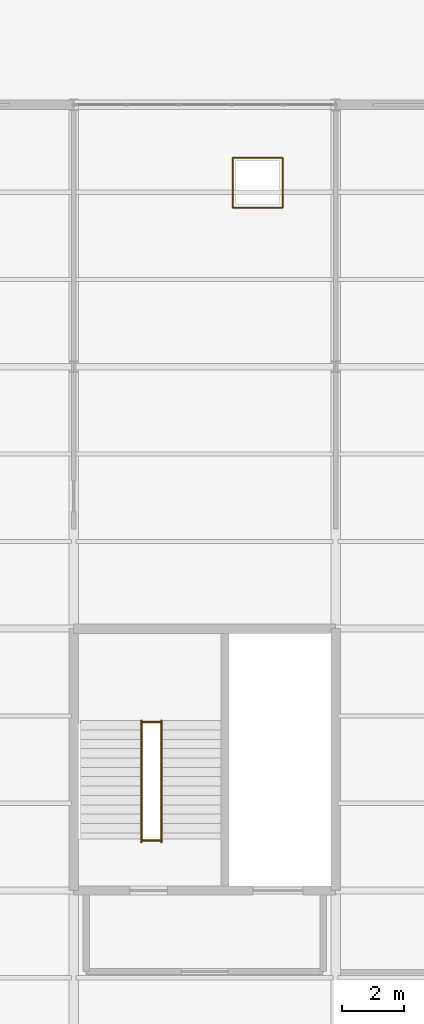
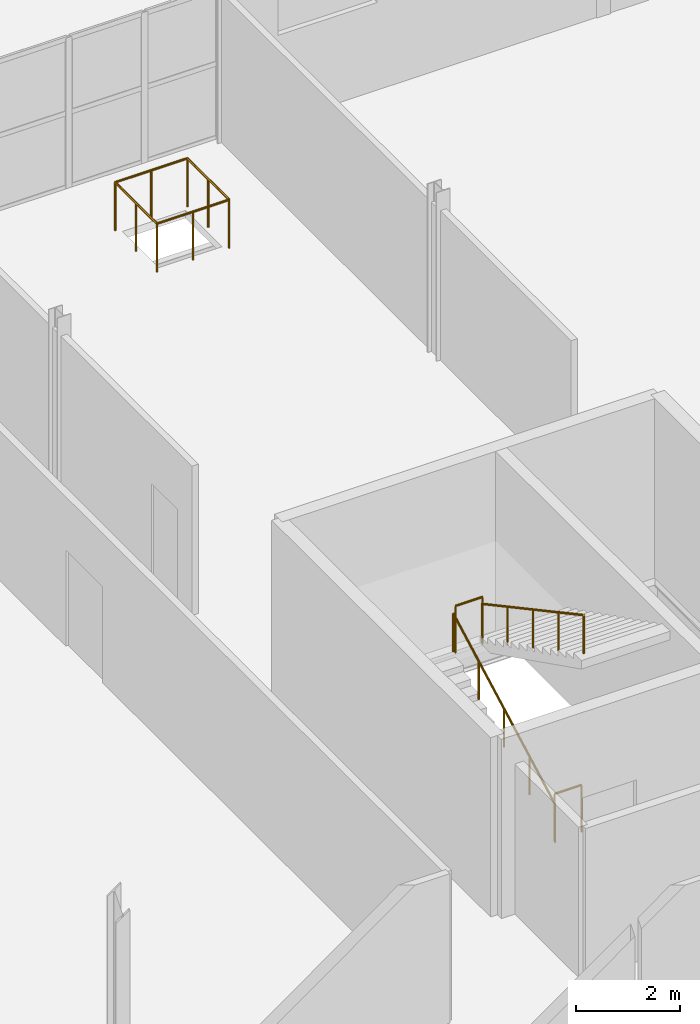
# One storey, part 180 of 184: 5 railings.
"""IFC4 building model written with IfcOpenShell, lengths in metres."""

from ifc_helpers import new_model, si_unit, direction, frame, origin, origin_2d, place, context, subcontext, project, spatial, circle, extrude, material, type_object, element, save


model = new_model("IFC4")

# Units and contexts
model_context = context("Model", 3, precision=1e-05, world=origin(), true_north=direction((0.0, 1.0)))
body_context = subcontext(model_context, "Body", "Model", "MODEL_VIEW")
ifc_project = project(units=[si_unit("LENGTHUNIT", "METRE"), si_unit("AREAUNIT", "SQUARE_METRE"), si_unit("VOLUMEUNIT", "CUBIC_METRE"), si_unit("PLANEANGLEUNIT", "RADIAN"), si_unit("MASSUNIT", "GRAM", prefix="KILO")], contexts=[model_context])

# Site, building, storey
site_placement = place(None, origin())
site = spatial("IfcSite", under=ifc_project, at=site_placement, CompositionType="ELEMENT")
building_placement = place(site_placement, origin())
building = spatial("IfcBuilding", under=site, at=building_placement, Name="Qalvenar Corner Mobility Hub", CompositionType="ELEMENT")
storey_placement = place(building_placement, frame((0.0, 0.0, 9.0)))
storey = spatial("IfcBuildingStorey", under=building, at=storey_placement, Name="L02", CompositionType="ELEMENT", Elevation=9.0)

# Railings
ifc_material_1 = material(Name="Art Nouveau Bronze-Finished Steel Balustrade", Category="steel")
railing_type_1 = type_object("IfcRailingType", Name="RL-GUARD-110", PredefinedType="GUARDRAIL", material=ifc_material_1)
for number, where, name in (
    (1, (128.18994140625, 18.39990234375, 0.0), "Stair Arrival Slot Guard C6-L02"),
    (2, (128.18994140625, 22.199951171875, 2.10009765625), "Stair Half-Landing Well Guard ST6-L02"),
):
    element("IfcRailing", number, at=place(storey_placement, frame(where)), inside=storey, type_object=railing_type_1, Name=name, PredefinedType="GUARDRAIL", context=body_context, shape_type="SweptSolid", body=[
        extrude(circle(Radius=0.02392578125, at=origin_2d()), frame((0.0, 0.0, 1.09619140625), z_axis=(1.0, 0.0, 0.0), x_axis=(0.0, 1.0, 0.0)), (0.0, 0.0, 1.0), 0.60009765625),
        extrude(circle(Radius=0.02099609375, at=origin_2d()), origin(), (0.0, 0.0, 1.0), 1.072021484375),
        extrude(circle(Radius=0.02099609375, at=origin_2d()), frame((0.60009765625, 0.0, 0.0)), (0.0, 0.0, 1.0), 1.072021484375),
    ])
ifc_material_2 = material(Name="Galvanised Steel Deck Edge Barrier", Category="steel")
railing_type_2 = type_object("IfcRailingType", Name="RL-GUARD-115", PredefinedType="GUARDRAIL", material=ifc_material_2)
railing_1_placement = place(storey_placement, frame((131.10009765625, 38.699951171875, 0.0)))
element("IfcRailing", 3, at=railing_1_placement, inside=storey, type_object=railing_type_2, Name="Riser Opening Guard V6-A-L02", PredefinedType="GUARDRAIL", context=body_context, shape_type="SweptSolid", body=[
    extrude(circle(Radius=0.02392578125, at=origin_2d()), frame((0.0, 0.0, 1.1259765625), z_axis=(1.0, 0.0, 0.0), x_axis=(0.0, 1.0, 0.0)), (0.0, 0.0, 1.0), 1.599853515625),
    extrude(circle(Radius=0.02392578125, at=origin_2d()), frame((1.599853515625, 0.0, 1.1259765625), z_axis=(0.0, 1.0, 0.0), x_axis=(-1.0, 0.0, 0.0)), (0.0, 0.0, 1.0), 1.60009765625),
    extrude(circle(Radius=0.02392578125, at=origin_2d()), frame((1.599853515625, 1.60009765625, 1.1259765625), z_axis=(-1.0, 0.0, 0.0), x_axis=(0.0, -1.0, 0.0)), (0.0, 0.0, 1.0), 1.599853515625),
    extrude(circle(Radius=0.02392578125, at=origin_2d()), frame((0.0, 1.60009765625, 1.1259765625), z_axis=(0.0, -1.0, 0.0), x_axis=(1.0, 0.0, 0.0)), (0.0, 0.0, 1.0), 1.60009765625),
    extrude(circle(Radius=0.02099609375, at=origin_2d()), origin(), (0.0, 0.0, 1.0), 1.101806640625),
    extrude(circle(Radius=0.02099609375, at=origin_2d()), frame((0.7998046875, 0.0, 0.0)), (0.0, 0.0, 1.0), 1.101806640625),
    extrude(circle(Radius=0.02099609375, at=origin_2d()), frame((1.599853515625, 0.0, 0.0)), (0.0, 0.0, 1.0), 1.101806640625),
    extrude(circle(Radius=0.02099609375, at=origin_2d()), frame((1.599853515625, 0.800048828125, 0.0)), (0.0, 0.0, 1.0), 1.101806640625),
    extrude(circle(Radius=0.02099609375, at=origin_2d()), frame((1.599853515625, 1.60009765625, 0.0)), (0.0, 0.0, 1.0), 1.101806640625),
    extrude(circle(Radius=0.02099609375, at=origin_2d()), frame((0.7998046875, 1.60009765625, 0.0)), (0.0, 0.0, 1.0), 1.101806640625),
    extrude(circle(Radius=0.02099609375, at=origin_2d()), frame((0.0, 1.60009765625, 0.0)), (0.0, 0.0, 1.0), 1.101806640625),
    extrude(circle(Radius=0.02099609375, at=origin_2d()), frame((0.0, 0.800048828125, 0.0)), (0.0, 0.0, 1.0), 1.101806640625),
])
ifc_material_3 = material(Name="Brushed Stainless Steel Handrail", Category="steel")
railing_type_3 = type_object("IfcRailingType", Name="RL-HAND-092", PredefinedType="HANDRAIL", material=ifc_material_3)
railing_2_placement = place(storey_placement, frame((128.169921875, 18.35009765625, 0.0)))
element("IfcRailing", 4, at=railing_2_placement, inside=storey, type_object=railing_type_3, Name="Stair Handrail ST6-L02-1", PredefinedType="HANDRAIL", context=body_context, shape_type="SweptSolid", body=[
    extrude(circle(Radius=0.02392578125, at=origin_2d()), frame((0.0, 0.0, 0.89599609375), z_axis=(0.0, 0.880456940745, 0.474126117709), x_axis=(-1.0, 0.0, 0.0)), (0.0, 0.0, 1.0), 4.429443359375),
    extrude(circle(Radius=0.02099609375, at=origin_2d()), origin(), (0.0, 0.0, 1.0), 0.871826171875),
    extrude(circle(Radius=0.02099609375, at=origin_2d()), frame((0.0, 0.97509765625, 0.52490234375)), (0.0, 0.0, 1.0), 0.871826171875),
    extrude(circle(Radius=0.02099609375, at=origin_2d()), frame((0.0, 1.949951171875, 1.050048828125)), (0.0, 0.0, 1.0), 0.871826171875),
    extrude(circle(Radius=0.02099609375, at=origin_2d()), frame((0.0, 2.9248046875, 1.5751953125)), (0.0, 0.0, 1.0), 0.871826171875),
    extrude(circle(Radius=0.02099609375, at=origin_2d()), frame((0.0, 3.89990234375, 2.10009765625)), (0.0, 0.0, 1.0), 0.871826171875),
])
railing_3_placement = place(storey_placement, frame((128.81005859375, 22.25, 2.10009765625)))
element("IfcRailing", 5, at=railing_3_placement, inside=storey, type_object=railing_type_3, Name="Stair Handrail ST6-L02-2", PredefinedType="HANDRAIL", context=body_context, shape_type="SweptSolid", body=[
    extrude(circle(Radius=0.02392578125, at=origin_2d()), frame((0.0, 0.0, 0.89599609375), z_axis=(0.0, -0.88047994924, 0.474083388219), x_axis=(1.0, 0.0, 0.0)), (0.0, 0.0, 1.0), 4.42919921875),
    extrude(circle(Radius=0.02099609375, at=origin_2d()), origin(), (0.0, 0.0, 1.0), 0.871826171875),
    extrude(circle(Radius=0.02099609375, at=origin_2d()), frame((0.0, -0.97509765625, 0.52490234375)), (0.0, 0.0, 1.0), 0.871826171875),
    extrude(circle(Radius=0.02099609375, at=origin_2d()), frame((0.0, -1.949951171875, 1.0498046875)), (0.0, 0.0, 1.0), 0.871826171875),
    extrude(circle(Radius=0.02099609375, at=origin_2d()), frame((0.0, -2.9248046875, 1.574951171875)), (0.0, 0.0, 1.0), 0.871826171875),
    extrude(circle(Radius=0.02099609375, at=origin_2d()), frame((0.0, -3.89990234375, 2.099853515625)), (0.0, 0.0, 1.0), 0.871826171875),
])

save(model, "model.ifc")
